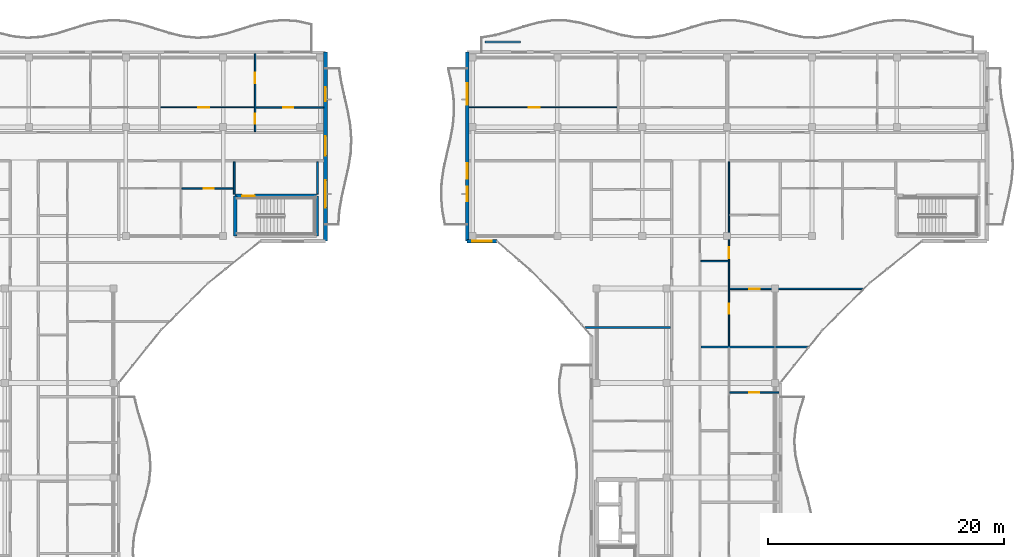
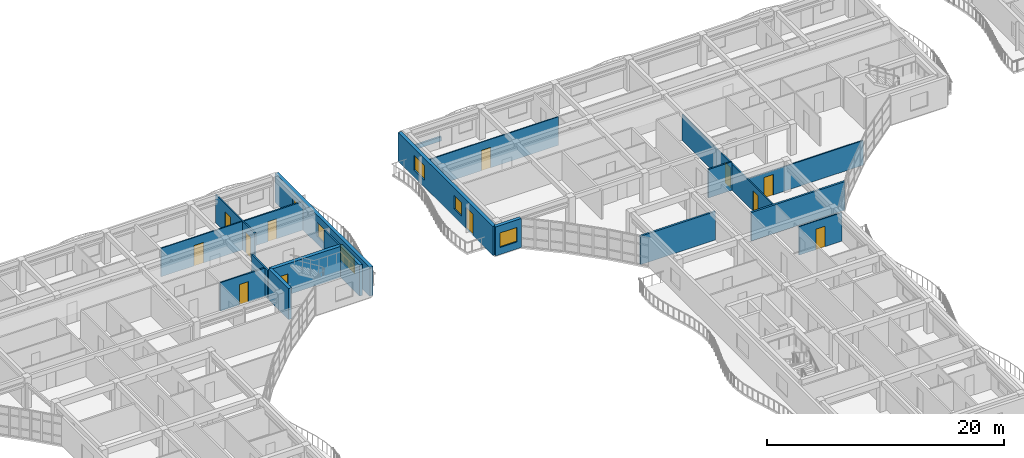
# One storey, part 39 of 71: 20 walls, 13 doors, 5 windows, 18 openings.
"""IFC4 building model written with IfcOpenShell, lengths in metres."""

import ifcopenshell
import ifcopenshell.guid

model = None  # the IFC model being written
_history = None  # IfcOwnerHistory: only IFC2X3 demands one
_inside = {}  # id of a spatial element -> (the spatial element, [elements in it])
_under = {}  # id of a project, library or spatial element -> (it, [spatial elements below it])
_declared = {}  # id of a project -> (the project, [libraries it declares])
_typed = {}  # id of a type object -> (the type object, [elements of that type])
_made_of = {}  # id of a material, layer set ... -> (it, [elements and type objects made of it])


def new_model(schema):
    """Start an empty IFC model of exactly this schema.

    Asked for "IFC4X3", IfcOpenShell would pick the latest addendum, in which some entities
    have other attributes; the version numbers below select the first issue.
    IFC2X3 requires an IfcOwnerHistory on every rooted entity: one is made here for all.
    """
    global model, _history
    if schema == "IFC4X3":
        model = ifcopenshell.file(schema_version=(4, 3, 0, 0))
    else:
        model = ifcopenshell.file(schema=schema)
    _inside.clear()
    _under.clear()
    _declared.clear()
    _typed.clear()
    _made_of.clear()
    _history = None
    if model.schema == "IFC2X3":
        org = make("IfcOrganization", Name="unknown")
        user = make(
            "IfcPersonAndOrganization",
            ThePerson=make("IfcPerson", FamilyName="unknown"),
            TheOrganization=org,
        )
        app = make(
            "IfcApplication",
            ApplicationDeveloper=org,
            Version="unknown",
            ApplicationFullName="unknown",
            ApplicationIdentifier="unknown",
        )
        _history = make(
            "IfcOwnerHistory",
            OwningUser=user,
            OwningApplication=app,
            ChangeAction="ADDED",
            CreationDate=0,
        )
    return model


def make(cls, **values):
    """One entity of the class cls with the attributes given. An attribute that is None is left unset."""
    return model.create_entity(
        cls, **{name: value for name, value in values.items() if value is not None}
    )


def rooted(cls, **values):
    """An entity with a GlobalId (a new one), such as an element, a storey or a relation."""
    return make(cls, GlobalId=ifcopenshell.guid.new(), OwnerHistory=_history, **values)


def si_unit(unit_type, name, prefix=None):
    """IfcSIUnit, for example si_unit("LENGTHUNIT", "METRE", prefix="MILLI")."""
    return make("IfcSIUnit", UnitType=unit_type, Prefix=prefix, Name=name)


def assignment(units):
    """IfcUnitAssignment: the units of a project."""
    return None if units is None else make("IfcUnitAssignment", Units=units)


def point(xyz):
    """IfcCartesianPoint."""
    return None if xyz is None else make("IfcCartesianPoint", Coordinates=xyz)


def direction(xyz):
    """IfcDirection."""
    return None if xyz is None else make("IfcDirection", DirectionRatios=xyz)


def frame(location, z_axis=None, x_axis=None):
    """IfcAxis2Placement3D, a coordinate frame: its origin and axes. An axis left out is left unset."""
    return make(
        "IfcAxis2Placement3D",
        Location=point(location),
        Axis=direction(z_axis),
        RefDirection=direction(x_axis),
    )


def frame_2d(location, x_axis=None):
    """IfcAxis2Placement2D, a coordinate frame in the plane: its origin and x axis."""
    return make(
        "IfcAxis2Placement2D", Location=point(location), RefDirection=direction(x_axis)
    )


def origin():
    """The frame at (0, 0, 0) with its axes left unset."""
    return frame((0.0, 0.0, 0.0))


def place(relative_to, where):
    """IfcLocalPlacement: puts the frame where relative to a parent placement (None: the world)."""
    return make(
        "IfcLocalPlacement", PlacementRelTo=relative_to, RelativePlacement=where
    )


def context(
    kind, dimensions, precision=None, world=None, true_north=None, identifier=None
):
    """IfcGeometricRepresentationContext, for example the 3D "Model" context."""
    return make(
        "IfcGeometricRepresentationContext",
        ContextIdentifier=identifier,
        ContextType=kind,
        CoordinateSpaceDimension=dimensions,
        Precision=precision,
        WorldCoordinateSystem=world,
        TrueNorth=true_north,
    )


def subcontext(parent, identifier, kind, view, scale=None):
    """IfcGeometricRepresentationSubContext, for example "Body" below "Model"."""
    return make(
        "IfcGeometricRepresentationSubContext",
        ContextIdentifier=identifier,
        ContextType=kind,
        ParentContext=parent,
        TargetScale=scale,
        TargetView=view,
    )


def project(units=None, contexts=None):
    """IfcProject with its units and contexts."""
    return rooted(
        "IfcProject",
        Name="project",
        RepresentationContexts=contexts,
        UnitsInContext=assignment(units),
    )


def spatial(cls, under=None, at=None, **own):
    """A site, building, storey or space (cls), placed at a placement, below another one or the project."""
    s = rooted(cls, ObjectPlacement=at, **own)
    if under is not None:
        _under.setdefault(under.id(), (under, []))[1].append(s)
    return s


def profile(cls, at=None, kind="AREA", **sizes):
    """A parametric profile (cls). Its sizes go by their IFC names, for example OverallWidth=200.0."""
    return make(cls, ProfileType=kind, Position=at, **sizes)


def rectangle(**sizes):
    """IfcRectangleProfileDef."""
    return profile("IfcRectangleProfileDef", **sizes)


def extrude(swept, where, along, depth):
    """IfcExtrudedAreaSolid: the profile swept, set in the frame where, extruded along a direction by depth."""
    return make(
        "IfcExtrudedAreaSolid",
        SweptArea=swept,
        Position=where,
        ExtrudedDirection=direction(along),
        Depth=depth,
    )


def shape(context_of_items, identifier, shape_type, items):
    """IfcShapeRepresentation: the items that make up one representation, for example the "Body"."""
    return make(
        "IfcShapeRepresentation",
        ContextOfItems=context_of_items,
        RepresentationIdentifier=identifier,
        RepresentationType=shape_type,
        Items=items,
    )


def material(Name=None, Category=None):
    """IfcMaterial."""
    return make("IfcMaterial", Name=Name, Category=Category)


def layer(
    of_material, thickness, ventilated=None, Name=None, Category=None, Priority=None
):
    """IfcMaterialLayer: one layer of a wall or slab, of a material (None: an air gap)."""
    return make(
        "IfcMaterialLayer",
        Material=of_material,
        LayerThickness=thickness,
        IsVentilated=ventilated,
        Name=Name,
        Category=Category,
        Priority=Priority,
    )


def layer_set(layers, Name=None):
    """IfcMaterialLayerSet."""
    return make("IfcMaterialLayerSet", MaterialLayers=layers, LayerSetName=Name)


def made_of(thing, what):
    """Note that an element or type object is made of a material, layer set ...; save() writes the relation."""
    if what is not None:
        _made_of.setdefault(what.id(), (what, []))[1].append(thing)
    return thing


def type_object(cls, material=None, **own):
    """A type object (cls), such as IfcWallType, which elements share."""
    return made_of(rooted(cls, **own), material)


def element(
    cls,
    number,
    at=None,
    inside=None,
    cuts=None,
    type_object=None,
    material=None,
    context=None,
    identifier="Body",
    shape_type=None,
    held_by="IfcProductDefinitionShape",
    body=None,
    shapes=None,
    **own,
):
    """One element of the class cls, such as IfcWall. Its Tag is "e" and its number.

    at: its placement. inside: the storey or other place that contains it. cuts: it is an
    opening in that element (IfcRelVoidsElement). A single representation is given by context,
    identifier, shape_type and body (its items); several are given by shapes. held_by: the class
    of the entity that holds the representations. save() writes the other relations.
    """
    e = rooted(cls, Tag="e%d" % number, ObjectPlacement=at, **own)
    if body is not None:
        shapes = [shape(context, identifier, shape_type, body)]
    if shapes is not None:
        e.Representation = make(held_by, Representations=shapes)
    if inside is not None:
        _inside.setdefault(inside.id(), (inside, []))[1].append(e)
    if cuts is not None:
        rooted(
            "IfcRelVoidsElement", RelatingBuildingElement=cuts, RelatedOpeningElement=e
        )
    if type_object is not None:
        _typed.setdefault(type_object.id(), (type_object, []))[1].append(e)
    return made_of(e, material)


def fill(opening, filler):
    """IfcRelFillsElement: the door or window that sits in an opening."""
    return rooted(
        "IfcRelFillsElement",
        RelatingOpeningElement=opening,
        RelatedBuildingElement=filler,
    )


def aggregate(whole, parts):
    """IfcRelAggregates: a whole, such as a stair, and the parts it consists of."""
    return rooted("IfcRelAggregates", RelatingObject=whole, RelatedObjects=parts)


def save(model, path):
    """Write the relations noted so far, then the file.

    IfcRelAggregates (storeys below a building ...), IfcRelContainedInSpatialStructure (elements
    in a storey), IfcRelDefinesByType, IfcRelAssociatesMaterial and IfcRelDeclares: one each for
    every whole, place, type object, material and project.
    """
    for whole, parts in _under.values():
        aggregate(whole, parts)
    for where, things in _inside.values():
        rooted(
            "IfcRelContainedInSpatialStructure",
            RelatedElements=things,
            RelatingStructure=where,
        )
    for kind, things in _typed.values():
        rooted("IfcRelDefinesByType", RelatedObjects=things, RelatingType=kind)
    for what, things in _made_of.values():
        rooted("IfcRelAssociatesMaterial", RelatedObjects=things, RelatingMaterial=what)
    for by, libraries in _declared.values():
        rooted("IfcRelDeclares", RelatingContext=by, RelatedDefinitions=libraries)
    model.write(path)


model = new_model("IFC4")

# Units and contexts
model_context = context("Model", 3, precision=1e-05, world=origin(), true_north=direction((0.0, 1.0)))
body_context = subcontext(model_context, "Body", "Model", "MODEL_VIEW")
ifc_project = project(units=[si_unit("LENGTHUNIT", "METRE"), si_unit("AREAUNIT", "SQUARE_METRE"), si_unit("VOLUMEUNIT", "CUBIC_METRE"), si_unit("PLANEANGLEUNIT", "RADIAN"), si_unit("MASSUNIT", "GRAM", prefix="KILO")], contexts=[model_context])

# Site, building, storey
site_placement = place(None, origin())
site = spatial("IfcSite", under=ifc_project, at=site_placement, CompositionType="ELEMENT")
building_placement = place(site_placement, origin())
building = spatial("IfcBuilding", under=site, at=building_placement, Name="Keldmere Railside Commons", CompositionType="ELEMENT")
storey_placement = place(building_placement, frame((0.0, 0.0, 20.159912109375)))
storey = spatial("IfcBuildingStorey", under=building, at=storey_placement, Name="L06", CompositionType="ELEMENT", Elevation=20.159912109375)

# Walls
ifc_material_1 = material(Name="Acoustic Gypsum Board Partition", Category="gypsum")
ifc_layer_1 = layer(ifc_material_1, 0.179931640625, Name="Acoustic Demising Partition 180")
ifc_layer_set_1 = layer_set([ifc_layer_1], Name="Acoustic Gypsum Board Partition")
wall_type_1 = type_object("IfcWallType", Name="Acoustic Demising Partition 180", PredefinedType="PARTITIONING", material=ifc_layer_set_1)
wall_1_placement = place(storey_placement, frame((113.280029296875, 91.050048828125, 0.0), z_axis=(0.0, 0.0, 1.0), x_axis=(1.0, 0.0, 0.0)))
element("IfcWall", 1, at=wall_1_placement, inside=storey, type_object=wall_type_1, Name="IW-1 IW-L06-1154", PredefinedType="PARTITIONING", context=body_context, shape_type="SweptSolid", body=[
    extrude(rectangle(XDim=9.115478515625, YDim=0.179931640625, at=frame_2d((4.5576171875, 0.0))), origin(), (0.0, 0.0, 1.0), 2.93505859375),
])
wall_2_placement = place(storey_placement, frame((103.447998046875, 92.699951171875, 0.0), z_axis=(0.0, 0.0, 1.0), x_axis=(1.0, 0.0, 0.0)))
element("IfcWall", 2, at=wall_2_placement, inside=storey, type_object=wall_type_1, Name="IW-1 IW-L06-1179", PredefinedType="PARTITIONING", context=body_context, shape_type="SweptSolid", body=[
    extrude(rectangle(XDim=7.27197265625, YDim=0.179931640625, at=frame_2d((3.635986328125, 0.0))), origin(), (0.0, 0.0, 1.0), 2.93505859375),
])

# Wall, openings, doors
ifc_layer_2 = layer(ifc_material_1, 0.1201171875, Name="Apartment Interior Partition 120")
ifc_layer_set_2 = layer_set([ifc_layer_2], Name="Acoustic Gypsum Board Partition")
wall_type_2 = type_object("IfcWallType", Name="Apartment Interior Partition 120", PredefinedType="PARTITIONING", material=ifc_layer_set_2)
wall_3_placement = place(storey_placement, frame((75.5400390625, 109.280029296875, 0.0), z_axis=(0.0, 0.0, 1.0), x_axis=(0.0, 1.0, 0.0)))
wall_3 = element("IfcWall", 3, at=wall_3_placement, inside=storey, type_object=wall_type_2, Name="IW-4 IW-L06-0758", PredefinedType="PARTITIONING", context=body_context, shape_type="SweptSolid", body=[
    extrude(rectangle(XDim=6.599853515625, YDim=0.1201171875, at=frame_2d((3.2998046875, 0.0))), origin(), (0.0, 0.0, 1.0), 2.93505859375),
])
opening_1_placement = place(wall_3_placement, frame((0.656005859375, 0.0, 0.0)))
opening_1 = element("IfcOpeningElement", 4, at=opening_1_placement, cuts=wall_3, Name="Opening ID-04", PredefinedType="OPENING", context=body_context, shape_type="SweptSolid", body=[
    extrude(rectangle(XDim=0.860107421875, YDim=2.10009765625, at=frame_2d((0.43017578125, 1.050048828125))), frame((0.0, 0.070068359375, 0.0), z_axis=(0.0, -1.0, 0.0), x_axis=(1.0, 0.0, 0.0)), (0.0, 0.0, 1.0), 0.14013671875),
])
opening_2_placement = place(wall_3_placement, frame((4.097412109375, 0.0, 0.0)))
opening_2 = element("IfcOpeningElement", 5, at=opening_2_placement, cuts=wall_3, Name="Opening ID-01", PredefinedType="OPENING", context=body_context, shape_type="SweptSolid", body=[
    extrude(rectangle(XDim=0.89990234375, YDim=2.10009765625, at=frame_2d((0.449951171875, 1.050048828125))), frame((0.0, 0.070068359375, 0.0), z_axis=(0.0, -1.0, 0.0), x_axis=(1.0, 0.0, 0.0)), (0.0, 0.0, 1.0), 0.14013671875),
])
ifc_material_2 = material(Name="Engineered Oak Timber", Category="wood")
door_type_1 = type_object("IfcDoorType", Name="Apartment Bathroom Door 860x2100", OperationType="NOTDEFINED", PredefinedType="DOOR", material=ifc_material_2)
door_1_placement = place(opening_1_placement, origin())
door_1 = element("IfcDoor", 6, at=door_1_placement, inside=storey, type_object=door_type_1, Name="ID-04 IDR-L06-0646", OperationType="SINGLE_SWING_RIGHT", OverallHeight=2.10009765625, OverallWidth=0.860107421875, PredefinedType="DOOR", context=body_context, shape_type="SweptSolid", body=[
    extrude(rectangle(XDim=0.860107421875, YDim=2.10009765625, at=frame_2d((0.43017578125, 1.050048828125))), frame((0.0, 0.02490234375, 0.0), z_axis=(0.0, -1.0, 0.0), x_axis=(1.0, 0.0, 0.0)), (0.0, 0.0, 1.0), 0.050048828125),
])
fill(opening_1, door_1)
door_type_2 = type_object("IfcDoorType", Name="Primary Bedroom Door 900x2100", OperationType="NOTDEFINED", PredefinedType="DOOR", material=ifc_material_2)
door_2_placement = place(opening_2_placement, origin())
door_2 = element("IfcDoor", 7, at=door_2_placement, inside=storey, type_object=door_type_2, Name="ID-01 IDR-L06-0647", OperationType="SINGLE_SWING_LEFT", OverallHeight=2.10009765625, OverallWidth=0.89990234375, PredefinedType="DOOR", context=body_context, shape_type="SweptSolid", body=[
    extrude(rectangle(XDim=0.89990234375, YDim=2.10009765625, at=frame_2d((0.449951171875, 1.050048828125))), frame((0.0, 0.02490234375, 0.0), z_axis=(0.0, -1.0, 0.0), x_axis=(1.0, 0.0, 0.0)), (0.0, 0.0, 1.0), 0.050048828125),
])
fill(opening_2, door_2)

# Wall, opening, door
wall_4_placement = place(storey_placement, frame((115.719970703125, 87.199951171875, 0.0), z_axis=(0.0, 0.0, 1.0), x_axis=(1.0, 0.0, 0.0)))
wall_4 = element("IfcWall", 8, at=wall_4_placement, inside=storey, type_object=wall_type_2, Name="IW-4 IW-L06-1164", PredefinedType="PARTITIONING", context=body_context, shape_type="SweptSolid", body=[
    extrude(rectangle(XDim=4.150146484375, YDim=0.1201171875, at=frame_2d((2.0751953125, 0.0))), origin(), (0.0, 0.0, 1.0), 2.93505859375),
])
opening_3_placement = place(wall_4_placement, frame((1.635009765625, 0.0, 0.0)))
opening_3 = element("IfcOpeningElement", 9, at=opening_3_placement, cuts=wall_4, Name="Opening ID-02", PredefinedType="OPENING", context=body_context, shape_type="SweptSolid", body=[
    extrude(rectangle(XDim=0.8798828125, YDim=2.10009765625, at=frame_2d((0.43994140625, 1.050048828125))), frame((0.0, 0.070068359375, 0.0), z_axis=(0.0, -1.0, 0.0), x_axis=(1.0, 0.0, 0.0)), (0.0, 0.0, 1.0), 0.14013671875),
])
door_type_3 = type_object("IfcDoorType", Name="Secondary Bedroom Door 880x2100", OperationType="NOTDEFINED", PredefinedType="DOOR", material=ifc_material_2)
door_3_placement = place(opening_3_placement, origin())
door_3 = element("IfcDoor", 10, at=door_3_placement, inside=storey, type_object=door_type_3, Name="ID-02 IDR-L06-1027", OperationType="SINGLE_SWING_LEFT", OverallHeight=2.10009765625, OverallWidth=0.8798828125, PredefinedType="DOOR", context=body_context, shape_type="SweptSolid", body=[
    extrude(rectangle(XDim=0.8798828125, YDim=2.10009765625, at=frame_2d((0.43994140625, 1.050048828125))), frame((0.0, 0.02490234375, 0.0), z_axis=(0.0, -1.0, 0.0), x_axis=(1.0, 0.0, 0.0)), (0.0, 0.0, 1.0), 0.050048828125),
])
fill(opening_3, door_3)

# Wall, openings, doors
wall_5_placement = place(storey_placement, frame((115.659912109375, 91.139892578125, 0.0), z_axis=(0.0, 0.0, 1.0), x_axis=(0.0, 1.0, 0.0)))
wall_5 = element("IfcWall", 11, at=wall_5_placement, inside=storey, type_object=wall_type_2, Name="IW-4 IW-L06-1165", PredefinedType="PARTITIONING", context=body_context, shape_type="SweptSolid", body=[
    extrude(rectangle(XDim=15.580078125, YDim=0.1201171875, at=frame_2d((7.7900390625, 0.0))), origin(), (0.0, 0.0, 1.0), 2.68017578125),
])
opening_4_placement = place(wall_5_placement, frame((2.724609375, 0.0, 0.0)))
opening_4 = element("IfcOpeningElement", 12, at=opening_4_placement, cuts=wall_5, Name="Opening ID-04", PredefinedType="OPENING", context=body_context, shape_type="SweptSolid", body=[
    extrude(rectangle(XDim=0.860107421875, YDim=2.10009765625, at=frame_2d((0.43017578125, 1.050048828125))), frame((0.0, 0.070068359375, 0.0), z_axis=(0.0, -1.0, 0.0), x_axis=(1.0, 0.0, 0.0)), (0.0, 0.0, 1.0), 0.14013671875),
])
opening_5_placement = place(wall_5_placement, frame((7.4248046875, 0.0, 0.0)))
opening_5 = element("IfcOpeningElement", 13, at=opening_5_placement, cuts=wall_5, Name="Opening ID-03", PredefinedType="OPENING", context=body_context, shape_type="SweptSolid", body=[
    extrude(rectangle(XDim=0.919921875, YDim=2.10009765625, at=frame_2d((0.4599609375, 1.050048828125))), frame((0.0, 0.070068359375, 0.0), z_axis=(0.0, -1.0, 0.0), x_axis=(1.0, 0.0, 0.0)), (0.0, 0.0, 1.0), 0.14013671875),
])
door_4_placement = place(opening_4_placement, origin())
door_4 = element("IfcDoor", 14, at=door_4_placement, inside=storey, type_object=door_type_1, Name="ID-04 IDR-L06-1028", OperationType="SINGLE_SWING_RIGHT", OverallHeight=2.10009765625, OverallWidth=0.860107421875, PredefinedType="DOOR", context=body_context, shape_type="SweptSolid", body=[
    extrude(rectangle(XDim=0.860107421875, YDim=2.10009765625, at=frame_2d((0.43017578125, 1.050048828125))), frame((0.0, 0.02490234375, 0.0), z_axis=(0.0, -1.0, 0.0), x_axis=(1.0, 0.0, 0.0)), (0.0, 0.0, 1.0), 0.050048828125),
])
fill(opening_4, door_4)
door_type_4 = type_object("IfcDoorType", Name="Kitchen Pocket-Frame Swing Door 920x2100", OperationType="NOTDEFINED", PredefinedType="DOOR", material=ifc_material_2)
door_5_placement = place(opening_5_placement, origin())
door_5 = element("IfcDoor", 15, at=door_5_placement, inside=storey, type_object=door_type_4, Name="ID-03 IDR-L06-1029", OperationType="SINGLE_SWING_LEFT", OverallHeight=2.10009765625, OverallWidth=0.919921875, PredefinedType="DOOR", context=body_context, shape_type="SweptSolid", body=[
    extrude(rectangle(XDim=0.919921875, YDim=2.10009765625, at=frame_2d((0.4599609375, 1.050048828125))), frame((0.0, 0.02490234375, 0.0), z_axis=(0.0, -1.0, 0.0), x_axis=(1.0, 0.0, 0.0)), (0.0, 0.0, 1.0), 0.050048828125),
])
fill(opening_5, door_5)

# Wall, opening, door
wall_6_placement = place(storey_placement, frame((115.719970703125, 95.969970703125, 0.0), z_axis=(0.0, 0.0, 1.0), x_axis=(1.0, 0.0, 0.0)))
wall_6 = element("IfcWall", 16, at=wall_6_placement, inside=storey, type_object=wall_type_2, Name="IW-4 IW-L06-1167", PredefinedType="PARTITIONING", context=body_context, shape_type="SweptSolid", body=[
    extrude(rectangle(XDim=11.3173828125, YDim=0.1201171875, at=frame_2d((5.65869140625, 0.0))), origin(), (0.0, 0.0, 1.0), 2.530029296875),
])
opening_6_placement = place(wall_6_placement, frame((1.64501953125, 0.0, 0.0)))
opening_6 = element("IfcOpeningElement", 17, at=opening_6_placement, cuts=wall_6, Name="Opening ID-01", PredefinedType="OPENING", context=body_context, shape_type="SweptSolid", body=[
    extrude(rectangle(XDim=0.89990234375, YDim=2.10009765625, at=frame_2d((0.449951171875, 1.050048828125))), frame((0.0, 0.070068359375, 0.0), z_axis=(0.0, -1.0, 0.0), x_axis=(1.0, 0.0, 0.0)), (0.0, 0.0, 1.0), 0.14013671875),
])
door_6_placement = place(opening_6_placement, origin())
door_6 = element("IfcDoor", 18, at=door_6_placement, inside=storey, type_object=door_type_2, Name="ID-01 IDR-L06-1031", OperationType="SINGLE_SWING_LEFT", OverallHeight=2.10009765625, OverallWidth=0.89990234375, PredefinedType="DOOR", context=body_context, shape_type="SweptSolid", body=[
    extrude(rectangle(XDim=0.89990234375, YDim=2.10009765625, at=frame_2d((0.449951171875, 1.050048828125))), frame((0.0, 0.02490234375, 0.0), z_axis=(0.0, -1.0, 0.0), x_axis=(1.0, 0.0, 0.0)), (0.0, 0.0, 1.0), 0.050048828125),
])
fill(opening_6, door_6)

# Wall
ifc_material_3 = material(Name="White Precast Concrete H-35 (C35/45)", Category="concrete")
ifc_layer_3 = layer(ifc_material_3, 0.169921875, Name="Balcony Planter Kerb Wall 170")
ifc_layer_set_3 = layer_set([ifc_layer_3], Name="White Precast Concrete H-35 (C35/45)")
wall_type_3 = type_object("IfcWallType", Name="Balcony Planter Kerb Wall 170", PredefinedType="PARAPET", material=ifc_layer_set_3)
wall_7_placement = place(storey_placement, frame((95.0, 116.85009765625, 0.0), z_axis=(0.0, 0.0, 1.0), x_axis=(1.0, 0.0, 0.0)))
element("IfcWall", 19, at=wall_7_placement, inside=storey, type_object=wall_type_3, Name="PW-2 PKBB-L06-0637", PredefinedType="PARAPET", context=body_context, shape_type="SweptSolid", body=[
    extrude(rectangle(XDim=3.0, YDim=0.169921875, at=frame_2d((1.5, 0.0))), origin(), (0.0, 0.0, 1.0), 0.4501953125),
])

# Wall, opening, door
ifc_layer_4 = layer(ifc_material_1, 0.10009765625, Name="Closet Light Partition 100")
ifc_layer_set_4 = layer_set([ifc_layer_4], Name="Acoustic Gypsum Board Partition")
wall_type_4 = type_object("IfcWallType", Name="Closet Light Partition 100", PredefinedType="PARTITIONING", material=ifc_layer_set_4)
wall_8_placement = place(storey_placement, frame((67.5400390625, 111.330078125, 0.0), z_axis=(0.0, 0.0, 1.0), x_axis=(1.0, 0.0, 0.0)))
wall_8 = element("IfcWall", 20, at=wall_8_placement, inside=storey, type_object=wall_type_4, Name="IW-6 IW-L06-0760", PredefinedType="PARTITIONING", context=body_context, shape_type="SweptSolid", body=[
    extrude(rectangle(XDim=7.93994140625, YDim=0.10009765625, at=frame_2d((3.969970703125, 0.0))), origin(), (0.0, 0.0, 1.0), 2.93505859375),
])
opening_7_placement = place(wall_8_placement, frame((3.199951171875, 0.0, 0.0)))
opening_7 = element("IfcOpeningElement", 21, at=opening_7_placement, cuts=wall_8, Name="Opening ID-03", PredefinedType="OPENING", context=body_context, shape_type="SweptSolid", body=[
    extrude(rectangle(XDim=0.919921875, YDim=2.10009765625, at=frame_2d((0.4599609375, 1.050048828125))), frame((0.0, 0.06005859375, 0.0), z_axis=(0.0, -1.0, 0.0), x_axis=(1.0, 0.0, 0.0)), (0.0, 0.0, 1.0), 0.1201171875),
])
door_7_placement = place(opening_7_placement, origin())
door_7 = element("IfcDoor", 22, at=door_7_placement, inside=storey, type_object=door_type_4, Name="ID-03 IDR-L06-0645", OperationType="SINGLE_SWING_LEFT", OverallHeight=2.10009765625, OverallWidth=0.919921875, PredefinedType="DOOR", context=body_context, shape_type="SweptSolid", body=[
    extrude(rectangle(XDim=0.919921875, YDim=2.10009765625, at=frame_2d((0.4599609375, 1.050048828125))), frame((0.0, 0.02490234375, 0.0), z_axis=(0.0, -1.0, 0.0), x_axis=(1.0, 0.0, 0.0)), (0.0, 0.0, 1.0), 0.050048828125),
])
fill(opening_7, door_7)

wall_9_placement = place(storey_placement, frame((93.659912109375, 111.330078125, 0.0), z_axis=(0.0, 0.0, 1.0), x_axis=(1.0, 0.0, 0.0)))
wall_9 = element("IfcWall", 23, at=wall_9_placement, inside=storey, type_object=wall_type_4, Name="IW-6 IW-L06-1172", PredefinedType="PARTITIONING", context=body_context, shape_type="SweptSolid", body=[
    extrude(rectangle(XDim=12.550048828125, YDim=0.10009765625, at=frame_2d((6.27490234375, 0.0))), origin(), (0.0, 0.0, 1.0), 2.93505859375),
])
opening_8_placement = place(wall_9_placement, frame((5.0439453125, 0.0, 0.0)))
opening_8 = element("IfcOpeningElement", 24, at=opening_8_placement, cuts=wall_9, Name="Opening ID-03", PredefinedType="OPENING", context=body_context, shape_type="SweptSolid", body=[
    extrude(rectangle(XDim=0.919921875, YDim=2.10009765625, at=frame_2d((0.4599609375, 1.050048828125))), frame((0.0, 0.06005859375, 0.0), z_axis=(0.0, -1.0, 0.0), x_axis=(1.0, 0.0, 0.0)), (0.0, 0.0, 1.0), 0.1201171875),
])
door_8_placement = place(opening_8_placement, origin())
door_8 = element("IfcDoor", 25, at=door_8_placement, inside=storey, type_object=door_type_4, Name="ID-03 IDR-L06-1034", OperationType="SINGLE_SWING_RIGHT", OverallHeight=2.10009765625, OverallWidth=0.919921875, PredefinedType="DOOR", context=body_context, shape_type="SweptSolid", body=[
    extrude(rectangle(XDim=0.919921875, YDim=2.10009765625, at=frame_2d((0.4599609375, 1.050048828125))), frame((0.0, 0.02490234375, 0.0), z_axis=(0.0, -1.0, 0.0), x_axis=(1.0, 0.0, 0.0)), (0.0, 0.0, 1.0), 0.050048828125),
])
fill(opening_8, door_8)

# Wall, openings, door, windows
ifc_material_4 = material(Name="Concrete H-35 (C35/45)", Category="concrete")
ifc_layer_5 = layer(ifc_material_4, 0.320068359375, Name="Exterior Shear Wall 320")
ifc_layer_set_5 = layer_set([ifc_layer_5], Name="Concrete H-35 (C35/45)")
wall_type_5 = type_object("IfcWallType", Name="Exterior Shear Wall 320", PredefinedType="SHEAR", material=ifc_layer_set_5)
wall_10_placement = place(storey_placement, frame((81.5, 116.0, 0.0), z_axis=(0.0, 0.0, 1.0), x_axis=(0.0, -1.0, 0.0)))
wall_10 = element("IfcWall", 26, at=wall_10_placement, inside=storey, type_object=wall_type_5, Name="ESW-2 EXTC-L06-0374", PredefinedType="SHEAR", context=body_context, shape_type="SweptSolid", body=[
    extrude(rectangle(XDim=16.0, YDim=0.320068359375, at=frame_2d((8.0, 0.0))), origin(), (0.0, 0.0, 1.0), 2.97998046875),
])
opening_9_placement = place(wall_10_placement, frame((2.949951171875, 0.0, 0.0)))
opening_9 = element("IfcOpeningElement", 27, at=opening_9_placement, cuts=wall_10, Name="Opening BD-01", PredefinedType="OPENING", context=body_context, shape_type="SweptSolid", body=[
    extrude(rectangle(XDim=1.199951171875, YDim=2.199951171875, at=frame_2d((0.60009765625, 1.10009765625))), frame((0.0, 0.169921875, 0.0), z_axis=(0.0, -1.0, 0.0), x_axis=(1.0, 0.0, 0.0)), (0.0, 0.0, 1.0), 0.340087890625),
])
opening_10_placement = place(wall_10_placement, frame((7.10009765625, 0.0, 0.77001953125)))
opening_10 = element("IfcOpeningElement", 28, at=opening_10_placement, cuts=wall_10, Name="Opening WN-03", PredefinedType="OPENING", context=body_context, shape_type="SweptSolid", body=[
    extrude(rectangle(XDim=1.64990234375, YDim=1.449951171875, at=frame_2d((0.824951171875, 0.72509765625))), frame((0.0, 0.169921875, 0.0), z_axis=(0.0, -1.0, 0.0), x_axis=(1.0, 0.0, 0.0)), (0.0, 0.0, 1.0), 0.340087890625),
])
opening_11_placement = place(wall_10_placement, frame((10.85009765625, 0.0, 0.570068359375)))
opening_11 = element("IfcOpeningElement", 29, at=opening_11_placement, cuts=wall_10, Name="Opening WN-23", PredefinedType="OPENING", context=body_context, shape_type="SweptSolid", body=[
    extrude(rectangle(XDim=2.300048828125, YDim=1.64990234375, at=frame_2d((1.14990234375, 0.824951171875))), frame((0.0, 0.169921875, 0.0), z_axis=(0.0, -1.0, 0.0), x_axis=(1.0, 0.0, 0.0)), (0.0, 0.0, 1.0), 0.340087890625),
])
ifc_material_5 = material(Name="Thermally Broken Aluminium", Category="aluminium")
door_type_5 = type_object("IfcDoorType", Name="Apartment Living Wave-Balcony Glazed Door 1200x2200", OperationType="NOTDEFINED", PredefinedType="DOOR", material=ifc_material_5)
door_9_placement = place(opening_9_placement, origin())
door_9 = element("IfcDoor", 30, at=door_9_placement, inside=storey, type_object=door_type_5, Name="BD-01 DR-L06-0095", OperationType="SINGLE_SWING_LEFT", OverallHeight=2.199951171875, OverallWidth=1.199951171875, PredefinedType="DOOR", context=body_context, shape_type="SweptSolid", body=[
    extrude(rectangle(XDim=1.199951171875, YDim=2.199951171875, at=frame_2d((0.60009765625, 1.10009765625))), frame((0.0, 0.02490234375, 0.0), z_axis=(0.0, -1.0, 0.0), x_axis=(1.0, 0.0, 0.0)), (0.0, 0.0, 1.0), 0.050048828125),
])
fill(opening_9, door_9)
ifc_material_6 = material(Name="Low-E Insulated Double Glazing", Category="glass")
window_type_1 = type_object("IfcWindowType", Name="Living Room East Shaded Window 1650x1450", PartitioningType="SINGLE_PANEL", PredefinedType="WINDOW", material=ifc_material_6)
window_1_placement = place(opening_10_placement, origin())
window_1 = element("IfcWindow", 31, at=window_1_placement, inside=storey, type_object=window_type_1, Name="WN-03 WIN-L06-0274", OverallHeight=1.449951171875, OverallWidth=1.64990234375, PartitioningType="SINGLE_PANEL", PredefinedType="WINDOW", context=body_context, shape_type="SweptSolid", body=[
    extrude(rectangle(XDim=1.64990234375, YDim=1.449951171875, at=frame_2d((0.824951171875, 0.72509765625))), frame((0.0, 0.030029296875, 0.0), z_axis=(0.0, -1.0, 0.0), x_axis=(1.0, 0.0, 0.0)), (0.0, 0.0, 1.0), 0.06005859375),
])
fill(opening_10, window_1)
window_type_2 = type_object("IfcWindowType", Name="Setback Terrace Penthouse Window 2300x1650", PartitioningType="SINGLE_PANEL", PredefinedType="WINDOW", material=ifc_material_6)
window_2_placement = place(opening_11_placement, origin())
window_2 = element("IfcWindow", 32, at=window_2_placement, inside=storey, type_object=window_type_2, Name="WN-23 WIN-L06-0275", OverallHeight=1.64990234375, OverallWidth=2.300048828125, PartitioningType="SINGLE_PANEL", PredefinedType="WINDOW", context=body_context, shape_type="SweptSolid", body=[
    extrude(rectangle(XDim=2.300048828125, YDim=1.64990234375, at=frame_2d((1.14990234375, 0.824951171875))), frame((0.0, 0.030029296875, 0.0), z_axis=(0.0, -1.0, 0.0), x_axis=(1.0, 0.0, 0.0)), (0.0, 0.0, 1.0), 0.06005859375),
])
fill(opening_11, window_2)

wall_11_placement = place(storey_placement, frame((93.5, 100.0, 0.0), z_axis=(0.0, 0.0, 1.0), x_axis=(0.0, 1.0, 0.0)))
wall_11 = element("IfcWall", 33, at=wall_11_placement, inside=storey, type_object=wall_type_5, Name="ESW-2 EXTB-L06-0634", PredefinedType="SHEAR", context=body_context, shape_type="SweptSolid", body=[
    extrude(rectangle(XDim=16.0, YDim=0.320068359375, at=frame_2d((8.0, 0.0))), origin(), (0.0, 0.0, 1.0), 2.97998046875),
])
opening_12_placement = place(wall_11_placement, frame((3.39990234375, 0.0, 0.0)))
opening_12 = element("IfcOpeningElement", 34, at=opening_12_placement, cuts=wall_11, Name="Opening BD-01", PredefinedType="OPENING", context=body_context, shape_type="SweptSolid", body=[
    extrude(rectangle(XDim=1.199951171875, YDim=2.199951171875, at=frame_2d((0.60009765625, 1.10009765625))), frame((0.0, 0.169921875, 0.0), z_axis=(0.0, -1.0, 0.0), x_axis=(1.0, 0.0, 0.0)), (0.0, 0.0, 1.0), 0.340087890625),
])
opening_13_placement = place(wall_11_placement, frame((5.300048828125, 0.0, 0.820068359375)))
opening_13 = element("IfcOpeningElement", 35, at=opening_13_placement, cuts=wall_11, Name="Opening WN-10", PredefinedType="OPENING", context=body_context, shape_type="SweptSolid", body=[
    extrude(rectangle(XDim=1.300048828125, YDim=1.39990234375, at=frame_2d((0.64990234375, 0.699951171875))), frame((0.0, 0.169921875, 0.0), z_axis=(0.0, -1.0, 0.0), x_axis=(1.0, 0.0, 0.0)), (0.0, 0.0, 1.0), 0.340087890625),
])
opening_14_placement = place(wall_11_placement, frame((11.550048828125, 0.0, 0.719970703125)))
opening_14 = element("IfcOpeningElement", 36, at=opening_14_placement, cuts=wall_11, Name="Opening WN-01", PredefinedType="OPENING", context=body_context, shape_type="SweptSolid", body=[
    extrude(rectangle(XDim=1.800048828125, YDim=1.5, at=frame_2d((0.89990234375, 0.75))), frame((0.0, 0.169921875, 0.0), z_axis=(0.0, -1.0, 0.0), x_axis=(1.0, 0.0, 0.0)), (0.0, 0.0, 1.0), 0.340087890625),
])
door_10_placement = place(opening_12_placement, origin())
door_10 = element("IfcDoor", 37, at=door_10_placement, inside=storey, type_object=door_type_5, Name="BD-01 DR-L06-0174", OperationType="SINGLE_SWING_RIGHT", OverallHeight=2.199951171875, OverallWidth=1.199951171875, PredefinedType="DOOR", context=body_context, shape_type="SweptSolid", body=[
    extrude(rectangle(XDim=1.199951171875, YDim=2.199951171875, at=frame_2d((0.60009765625, 1.10009765625))), frame((0.0, 0.02490234375, 0.0), z_axis=(0.0, -1.0, 0.0), x_axis=(1.0, 0.0, 0.0)), (0.0, 0.0, 1.0), 0.050048828125),
])
fill(opening_12, door_10)
window_type_3 = type_object("IfcWindowType", Name="Living Room North Casement Window 1800x1500", PartitioningType="SINGLE_PANEL", PredefinedType="WINDOW", material=ifc_material_6)
window_3_placement = place(opening_14_placement, origin())
window_3 = element("IfcWindow", 38, at=window_3_placement, inside=storey, type_object=window_type_3, Name="WN-01 WIN-L06-0468", OverallHeight=1.5, OverallWidth=1.800048828125, PartitioningType="SINGLE_PANEL", PredefinedType="WINDOW", context=body_context, shape_type="SweptSolid", body=[
    extrude(rectangle(XDim=1.800048828125, YDim=1.5, at=frame_2d((0.89990234375, 0.75))), frame((0.0, 0.030029296875, 0.0), z_axis=(0.0, -1.0, 0.0), x_axis=(1.0, 0.0, 0.0)), (0.0, 0.0, 1.0), 0.06005859375),
])
fill(opening_14, window_3)
window_type_4 = type_object("IfcWindowType", Name="Secondary Bedroom Court Window 1300x1400", PartitioningType="SINGLE_PANEL", PredefinedType="WINDOW", material=ifc_material_6)
window_4_placement = place(opening_13_placement, origin())
window_4 = element("IfcWindow", 39, at=window_4_placement, inside=storey, type_object=window_type_4, Name="WN-10 WIN-L06-0467", OverallHeight=1.39990234375, OverallWidth=1.300048828125, PartitioningType="SINGLE_PANEL", PredefinedType="WINDOW", context=body_context, shape_type="SweptSolid", body=[
    extrude(rectangle(XDim=1.300048828125, YDim=1.39990234375, at=frame_2d((0.64990234375, 0.699951171875))), frame((0.0, 0.030029296875, 0.0), z_axis=(0.0, -1.0, 0.0), x_axis=(1.0, 0.0, 0.0)), (0.0, 0.0, 1.0), 0.06005859375),
])
fill(opening_13, window_4)

# Wall, opening, window
wall_12_placement = place(storey_placement, frame((96.0, 100.0, 0.0), z_axis=(0.0, 0.0, 1.0), x_axis=(-1.0, 0.0, 0.0)))
wall_12 = element("IfcWall", 40, at=wall_12_placement, inside=storey, type_object=wall_type_5, Name="ESW-2 EXTB-L06-0635", PredefinedType="SHEAR", context=body_context, shape_type="SweptSolid", body=[
    extrude(rectangle(XDim=2.5, YDim=0.320068359375, at=frame_2d((1.25, 0.0))), origin(), (0.0, 0.0, 1.0), 2.97998046875),
])
opening_15_placement = place(wall_12_placement, frame((0.409912109375, 0.0, 0.719970703125)))
opening_15 = element("IfcOpeningElement", 41, at=opening_15_placement, cuts=wall_12, Name="Opening WN-40", PredefinedType="OPENING", context=body_context, shape_type="SweptSolid", body=[
    extrude(rectangle(XDim=1.679931640625, YDim=1.5, at=frame_2d((0.83984375, 0.75))), frame((0.0, 0.169921875, 0.0), z_axis=(0.0, -1.0, 0.0), x_axis=(1.0, 0.0, 0.0)), (0.0, 0.0, 1.0), 0.340087890625),
])
window_type_5 = type_object("IfcWindowType", Name="Two-Bed Dining Casement Window 1680x1500", PartitioningType="SINGLE_PANEL", PredefinedType="WINDOW", material=ifc_material_6)
window_5_placement = place(opening_15_placement, origin())
window_5 = element("IfcWindow", 42, at=window_5_placement, inside=storey, type_object=window_type_5, Name="WN-40 WIN-L06-0469", OverallHeight=1.5, OverallWidth=1.679931640625, PartitioningType="SINGLE_PANEL", PredefinedType="WINDOW", context=body_context, shape_type="SweptSolid", body=[
    extrude(rectangle(XDim=1.679931640625, YDim=1.5, at=frame_2d((0.83984375, 0.75))), frame((0.0, 0.030029296875, 0.0), z_axis=(0.0, -1.0, 0.0), x_axis=(1.0, 0.0, 0.0)), (0.0, 0.0, 1.0), 0.06005859375),
])
fill(opening_15, window_5)

# Walls
ifc_layer_6 = layer(ifc_material_4, 0.300048828125, Name="Interior Shear Wall 300")
ifc_layer_set_6 = layer_set([ifc_layer_6], Name="Concrete H-35 (C35/45)")
wall_type_6 = type_object("IfcWallType", Name="Interior Shear Wall 300", PredefinedType="SHEAR", material=ifc_layer_set_6)
for number, where, z_axis, x_axis, name in (
    (43, (73.85009765625, 103.820068359375, 0.0), (0.0, 0.0, 1.0), (0.0, -1.0, 0.0), "ISW-2 COREC2W-L06-0280"),
    (44, (80.75, 100.449951171875, 0.0), (0.0, 0.0, 1.0), (0.0, 1.0, 0.0), "ISW-2 COREC2E-L06-0281"),
):
    element("IfcWall", number, at=place(storey_placement, frame(where, z_axis=z_axis, x_axis=x_axis)), inside=storey, type_object=wall_type_6, Name=name, PredefinedType="SHEAR", context=body_context, shape_type="SweptSolid", body=[
        extrude(rectangle(XDim=3.3701171875, YDim=0.300048828125, at=frame_2d((1.68505859375, 0.0))), origin(), (0.0, 0.0, 1.0), 3.2001953125),
    ])

# Wall, opening, door
ifc_layer_7 = layer(ifc_material_4, 0.340087890625, Name="Interior Shear Wall 340")
ifc_layer_set_7 = layer_set([ifc_layer_7], Name="Concrete H-35 (C35/45)")
wall_type_7 = type_object("IfcWallType", Name="Interior Shear Wall 340", PredefinedType="SHEAR", material=ifc_layer_set_7)
wall_13_placement = place(storey_placement, frame((80.75, 103.820068359375, 0.0), z_axis=(0.0, 0.0, 1.0), x_axis=(-1.0, 0.0, 0.0)))
wall_13 = element("IfcWall", 45, at=wall_13_placement, inside=storey, type_object=wall_type_7, Name="ISW-1 COREC2N-L06-0279", PredefinedType="SHEAR", context=body_context, shape_type="SweptSolid", body=[
    extrude(rectangle(XDim=6.89990234375, YDim=0.340087890625, at=frame_2d((3.449951171875, 0.0))), origin(), (0.0, 0.0, 1.0), 3.2001953125),
])
opening_16_placement = place(wall_13_placement, frame((5.25, 0.0, 0.0)))
opening_16 = element("IfcOpeningElement", 46, at=opening_16_placement, cuts=wall_13, Name="Opening FD-1", PredefinedType="OPENING", context=body_context, shape_type="SweptSolid", body=[
    extrude(rectangle(XDim=1.050048828125, YDim=2.14990234375, at=frame_2d((0.52490234375, 1.074951171875))), frame((0.0, 0.179931640625, 0.0), z_axis=(0.0, -1.0, 0.0), x_axis=(1.0, 0.0, 0.0)), (0.0, 0.0, 1.0), 0.360107421875),
])
ifc_material_7 = material(Name="Steel F-24 (S235)", Category="steel")
door_type_6 = type_object("IfcDoorType", Name="Stair Core Fire Door 1050x2150", OperationType="NOTDEFINED", PredefinedType="DOOR", material=ifc_material_7)
door_11_placement = place(opening_16_placement, origin())
door_11 = element("IfcDoor", 47, at=door_11_placement, inside=storey, type_object=door_type_6, Name="FD-1 C2 L06", OperationType="SINGLE_SWING_RIGHT", OverallHeight=2.14990234375, OverallWidth=1.050048828125, PredefinedType="DOOR", context=body_context, shape_type="SweptSolid", body=[
    extrude(rectangle(XDim=1.050048828125, YDim=2.14990234375, at=frame_2d((0.52490234375, 1.074951171875))), frame((0.0, 0.02490234375, 0.0), z_axis=(0.0, -1.0, 0.0), x_axis=(1.0, 0.0, 0.0)), (0.0, 0.0, 1.0), 0.050048828125),
])
fill(opening_16, door_11)

# Walls
ifc_layer_8 = layer(ifc_material_1, 0.14990234375, Name="Lobby Rated Partition 150")
ifc_layer_set_8 = layer_set([ifc_layer_8], Name="Acoustic Gypsum Board Partition")
wall_type_8 = type_object("IfcWallType", Name="Lobby Rated Partition 150", PredefinedType="PARTITIONING", material=ifc_layer_set_8)
for number, where, z_axis, x_axis, name in (
    (48, (73.780029296875, 103.989990234375, 0.0), (0.0, 0.0, 1.0), (0.0, 1.0, 0.0), "IW-3 IW-L06-0732"),
    (49, (80.820068359375, 103.989990234375, 0.0), (0.0, 0.0, 1.0), (0.0, 1.0, 0.0), "IW-3 IW-L06-0733"),
):
    element("IfcWall", number, at=place(storey_placement, frame(where, z_axis=z_axis, x_axis=x_axis)), inside=storey, type_object=wall_type_8, Name=name, PredefinedType="PARTITIONING", context=body_context, shape_type="SweptSolid", body=[
        extrude(rectangle(XDim=2.72998046875, YDim=0.14990234375, at=frame_2d((1.364990234375, 0.0))), origin(), (0.0, 0.0, 1.0), 2.93505859375),
    ])

# Wall, opening, door
ifc_layer_9 = layer(ifc_material_1, 0.139892578125, Name="Wet-Room Sanitary Partition 140")
ifc_layer_set_9 = layer_set([ifc_layer_9], Name="Acoustic Gypsum Board Partition")
wall_type_9 = type_object("IfcWallType", Name="Wet-Room Sanitary Partition 140", PredefinedType="PARTITIONING", material=ifc_layer_set_9)
wall_14_placement = place(storey_placement, frame((75.60009765625, 111.330078125, 0.0), z_axis=(0.0, 0.0, 1.0), x_axis=(1.0, 0.0, 0.0)))
wall_14 = element("IfcWall", 50, at=wall_14_placement, inside=storey, type_object=wall_type_9, Name="IW-5 IW-L06-0759", PredefinedType="PARTITIONING", context=body_context, shape_type="SweptSolid", body=[
    extrude(rectangle(XDim=5.739990234375, YDim=0.139892578125, at=frame_2d((2.8701171875, 0.0))), origin(), (0.0, 0.0, 1.0), 2.93505859375),
])
opening_17_placement = place(wall_14_placement, frame((2.320068359375, 0.0, 0.0)))
opening_17 = element("IfcOpeningElement", 51, at=opening_17_placement, cuts=wall_14, Name="Opening ID-06", PredefinedType="OPENING", context=body_context, shape_type="SweptSolid", body=[
    extrude(rectangle(XDim=0.85009765625, YDim=2.050048828125, at=frame_2d((0.425048828125, 1.02490234375))), frame((0.0, 0.079833984375, 0.0), z_axis=(0.0, -1.0, 0.0), x_axis=(1.0, 0.0, 0.0)), (0.0, 0.0, 1.0), 0.159912109375),
])
door_type_7 = type_object("IfcDoorType", Name="Storage Closet Door 850x2050", OperationType="NOTDEFINED", PredefinedType="DOOR", material=ifc_material_2)
door_12_placement = place(opening_17_placement, origin())
door_12 = element("IfcDoor", 52, at=door_12_placement, inside=storey, type_object=door_type_7, Name="ID-06 IDR-L06-0648", OperationType="SINGLE_SWING_RIGHT", OverallHeight=2.050048828125, OverallWidth=0.85009765625, PredefinedType="DOOR", context=body_context, shape_type="SweptSolid", body=[
    extrude(rectangle(XDim=0.85009765625, YDim=2.050048828125, at=frame_2d((0.425048828125, 1.02490234375))), frame((0.0, 0.02490234375, 0.0), z_axis=(0.0, -1.0, 0.0), x_axis=(1.0, 0.0, 0.0)), (0.0, 0.0, 1.0), 0.050048828125),
])
fill(opening_17, door_12)

wall_15_placement = place(storey_placement, frame((69.340087890625, 104.469970703125, 0.0), z_axis=(0.0, 0.0, 1.0), x_axis=(1.0, 0.0, 0.0)))
wall_15 = element("IfcWall", 53, at=wall_15_placement, inside=storey, type_object=wall_type_9, Name="IW-5 IW-L06-0762", PredefinedType="PARTITIONING", context=body_context, shape_type="SweptSolid", body=[
    extrude(rectangle(XDim=4.35986328125, YDim=0.139892578125, at=frame_2d((2.179931640625, 0.0))), origin(), (0.0, 0.0, 1.0), 2.93505859375),
])
opening_18_placement = place(wall_15_placement, frame((1.8564453125, 0.0, 0.0)))
opening_18 = element("IfcOpeningElement", 54, at=opening_18_placement, cuts=wall_15, Name="Opening ID-04", PredefinedType="OPENING", context=body_context, shape_type="SweptSolid", body=[
    extrude(rectangle(XDim=0.860107421875, YDim=2.10009765625, at=frame_2d((0.43017578125, 1.050048828125))), frame((0.0, 0.079833984375, 0.0), z_axis=(0.0, -1.0, 0.0), x_axis=(1.0, 0.0, 0.0)), (0.0, 0.0, 1.0), 0.159912109375),
])
door_13_placement = place(opening_18_placement, origin())
door_13 = element("IfcDoor", 55, at=door_13_placement, inside=storey, type_object=door_type_1, Name="ID-04 IDR-L06-0652", OperationType="SINGLE_SWING_RIGHT", OverallHeight=2.10009765625, OverallWidth=0.860107421875, PredefinedType="DOOR", context=body_context, shape_type="SweptSolid", body=[
    extrude(rectangle(XDim=0.860107421875, YDim=2.10009765625, at=frame_2d((0.43017578125, 1.050048828125))), frame((0.0, 0.02490234375, 0.0), z_axis=(0.0, -1.0, 0.0), x_axis=(1.0, 0.0, 0.0)), (0.0, 0.0, 1.0), 0.050048828125),
])
fill(opening_18, door_13)

# Wall
wall_16_placement = place(storey_placement, frame((113.280029296875, 98.31005859375, 0.0), z_axis=(0.0, 0.0, 1.0), x_axis=(1.0, 0.0, 0.0)))
element("IfcWall", 56, at=wall_16_placement, inside=storey, type_object=wall_type_9, Name="IW-5 IW-L06-1166", PredefinedType="PARTITIONING", context=body_context, shape_type="SweptSolid", body=[
    extrude(rectangle(XDim=2.320068359375, YDim=0.139892578125, at=frame_2d((1.16015625, 0.0))), origin(), (0.0, 0.0, 1.0), 2.93505859375),
])

save(model, "model.ifc")
